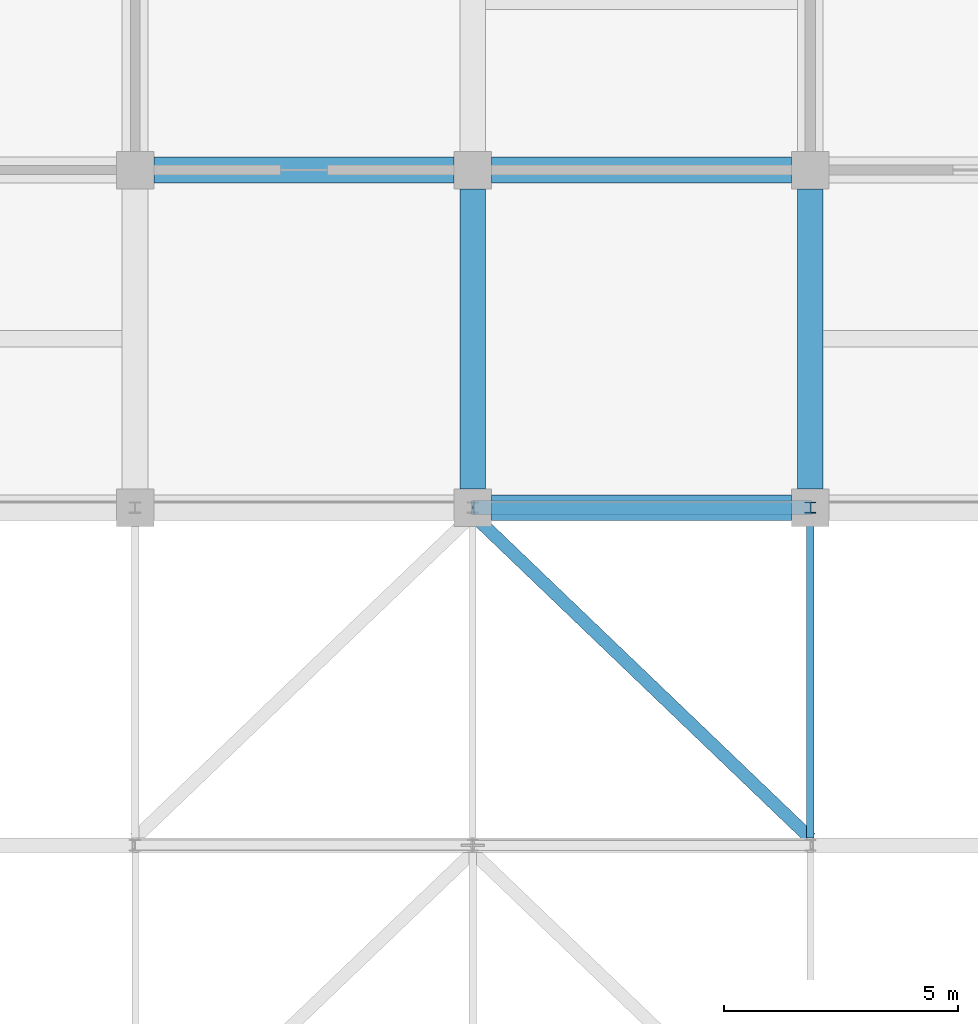
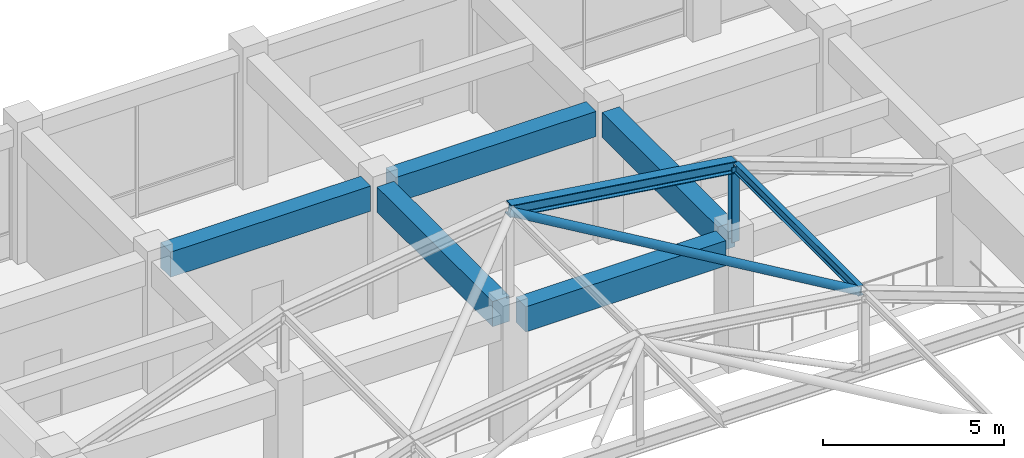
# One storey, part 25 of 75: 5 beams, 4 members.
"""IFC4 building model written with IfcOpenShell, lengths in metres."""

from ifc_helpers import new_model, si_unit, direction, frame, origin, origin_2d, place, context, subcontext, project, spatial, rectangle, hollow_circle, i_section, extrude, material, material_profile, profile_set, type_object, element, save


model = new_model("IFC4")

# Units and contexts
model_context = context("Model", 3, precision=1e-05, world=origin(), true_north=direction((0.0, 1.0)))
body_context = subcontext(model_context, "Body", "Model", "MODEL_VIEW")
ifc_project = project(units=[si_unit("LENGTHUNIT", "METRE"), si_unit("AREAUNIT", "SQUARE_METRE"), si_unit("VOLUMEUNIT", "CUBIC_METRE"), si_unit("PLANEANGLEUNIT", "RADIAN"), si_unit("MASSUNIT", "GRAM", prefix="KILO")], contexts=[model_context])

# Site, building, storey
site_placement = place(None, origin())
site = spatial("IfcSite", under=ifc_project, at=site_placement, CompositionType="ELEMENT")
building_placement = place(site_placement, origin())
building = spatial("IfcBuilding", under=site, at=building_placement, Name="Cendaluz Park School", CompositionType="ELEMENT")
storey_placement = place(building_placement, frame((0.0, 0.0, 4.800048828125)))
storey = spatial("IfcBuildingStorey", under=building, at=storey_placement, Name="L01", CompositionType="ELEMENT", Elevation=4.800048828125)

# Beams
ifc_material_1 = material(Name="Concrete C40/50", Category="concrete")
ifc_material_profile_1 = material_profile(ifc_material_1, rectangle(XDim=0.550048828125, YDim=0.85009765625, at=origin_2d()), Name="RC 550x850", Category="concrete")
ifc_profile_set_1 = profile_set([ifc_material_profile_1], Name="Concrete C40/50")
beam_type = type_object("IfcBeamType", Name="BM-RC01", PredefinedType="BEAM", material=ifc_profile_set_1)
for number, where, z_axis, x_axis, name in (
    (1, (14.800048828125, 108.0, 4.0048828125), (1.0, 0.0, 0.0), (0.0, 1.0, 0.0), "BM-L01-BMRC01-0031"),
    (2, (22.0, 100.800048828125, 4.0048828125), (1.0, 0.0, 0.0), (0.0, 1.0, 0.0), "BM-L01-BMRC01-0039"),
    (3, (22.0, 108.0, 4.0048828125), (1.0, 0.0, 0.0), (0.0, 1.0, 0.0), "BM-L01-BMRC01-0040"),
):
    element("IfcBeam", number, at=place(storey_placement, frame(where, z_axis=z_axis, x_axis=x_axis)), inside=storey, type_object=beam_type, Name=name, PredefinedType="BEAM", context=body_context, shape_type="SweptSolid", body=[
        extrude(rectangle(XDim=0.550048828125, YDim=0.85009765625, at=origin_2d()), origin(), (0.0, 0.0, 1.0), 6.39990234375),
    ])
for number, where, z_axis, x_axis, name in (
    (4, (21.60009765625, 101.199951171875, 4.0048828125), (0.0, 1.0, 0.0), (-1.0, 0.0, 0.0), "BM-L01-BMRC01-0259"),
    (5, (28.800048828125, 101.199951171875, 4.0048828125), (0.0, 1.0, 0.0), (-1.0, 0.0, 0.0), "BM-L01-BMRC01-0269"),
):
    element("IfcBeam", number, at=place(storey_placement, frame(where, z_axis=z_axis, x_axis=x_axis)), inside=storey, type_object=beam_type, Name=name, PredefinedType="BEAM", context=body_context, shape_type="SweptSolid", body=[
        extrude(rectangle(XDim=0.550048828125, YDim=0.85009765625, at=origin_2d()), origin(), (0.0, 0.0, 1.0), 6.400146484375),
    ])

# Members
ifc_material_2 = material(Name="Steel S355", Category="steel")
ifc_material_profile_2 = material_profile(ifc_material_2, i_section(OverallWidth=0.300048828125, OverallDepth=0.39990234375, WebThickness=0.013916015625, FlangeThickness=0.02392578125, FilletRadius=0.027099609375, at=origin_2d()), Name="HEB 400", Category="steel")
ifc_profile_set_2 = profile_set([ifc_material_profile_2], Name="Steel S355")
member_type_1 = type_object("IfcMemberType", Name="MB-CH01", PredefinedType="CHORD", material=ifc_profile_set_2)
member_1_placement = place(storey_placement, frame((21.60009765625, 100.800048828125, 7.7099609375), z_axis=(0.990113333567, 0.0, -0.140269692708), x_axis=(0.0, 1.0, 0.0)))
element("IfcMember", 6, at=member_1_placement, inside=storey, type_object=member_type_1, Name="MB-L01-MBCH01-0055", PredefinedType="CHORD", context=body_context, shape_type="SweptSolid", body=[
    extrude(i_section(OverallWidth=0.300048828125, OverallDepth=0.39990234375, WebThickness=0.013916015625, FlangeThickness=0.02392578125, FilletRadius=0.027099609375, at=origin_2d()), origin(), (0.0, 0.0, 1.0), 7.271728515625),
])
ifc_material_profile_3 = material_profile(ifc_material_2, i_section(OverallWidth=0.159912109375, OverallDepth=0.330078125, WebThickness=0.008056640625, FlangeThickness=0.011962890625, FilletRadius=0.01806640625, at=origin_2d()), Name="IPE 330", Category="steel")
ifc_profile_set_3 = profile_set([ifc_material_profile_3], Name="Steel S355")
member_type_2 = type_object("IfcMemberType", Name="MB-PR02", PredefinedType="PURLIN", material=ifc_profile_set_3)
member_2_placement = place(storey_placement, frame((28.800048828125, 93.75, 6.704833984375), z_axis=(0.0, 1.0, 0.0), x_axis=(-1.0, 0.0, 0.0)))
element("IfcMember", 7, at=member_2_placement, inside=storey, type_object=member_type_2, Name="MB-L01-MBPR02-0085", PredefinedType="PURLIN", context=body_context, shape_type="SweptSolid", body=[
    extrude(i_section(OverallWidth=0.159912109375, OverallDepth=0.330078125, WebThickness=0.008056640625, FlangeThickness=0.011962890625, FilletRadius=0.01806640625, at=origin_2d()), origin(), (0.0, 0.0, 1.0), 6.89990234375),
])
ifc_material_profile_4 = material_profile(ifc_material_2, hollow_circle(Radius=0.136474609375, WallThickness=0.011962890625, at=origin_2d()), Name="CHS 273x12", Category="steel")
ifc_profile_set_4 = profile_set([ifc_material_profile_4], Name="Steel S355")
member_type_3 = type_object("IfcMemberType", Name="MBR-01", PredefinedType="BRACE", material=ifc_profile_set_4)
member_3_placement = place(storey_placement, frame((28.800048828125, 93.75, 6.68994140625), z_axis=(-0.718243342444, 0.688311462621, 0.101753778601), x_axis=(-0.691902704581, -0.721990752983, 0.0)))
element("IfcMember", 8, at=member_3_placement, inside=storey, type_object=member_type_3, Name="MB-L01-MBBR01-0087", PredefinedType="BRACE", context=body_context, shape_type="SweptSolid", body=[
    extrude(hollow_circle(Radius=0.136474609375, WallThickness=0.011962890625, at=origin_2d()), origin(), (0.0, 0.0, 1.0), 10.0244140625),
])
ifc_material_profile_5 = material_profile(ifc_material_2, i_section(OverallWidth=0.239990234375, OverallDepth=0.22998046875, WebThickness=0.008056640625, FlangeThickness=0.011962890625, FilletRadius=0.02099609375, at=origin_2d()), Name="HEA 240", Category="steel")
ifc_profile_set_5 = profile_set([ifc_material_profile_5], Name="Steel S355")
member_type_4 = type_object("IfcMemberType", Name="MST-01", PredefinedType="STRUT", material=ifc_profile_set_5)
member_4_placement = place(storey_placement, frame((28.800048828125, 100.800048828125, 4.14990234375), z_axis=(0.0, 0.0, 1.0), x_axis=(1.0, 0.0, 0.0)))
element("IfcMember", 9, at=member_4_placement, inside=storey, type_object=member_type_4, Name="MB-L01-MBST01-0059", PredefinedType="STRUT", context=body_context, shape_type="SweptSolid", body=[
    extrude(i_section(OverallWidth=0.239990234375, OverallDepth=0.22998046875, WebThickness=0.008056640625, FlangeThickness=0.011962890625, FilletRadius=0.02099609375, at=origin_2d()), origin(), (0.0, 0.0, 1.0), 2.5400390625),
])

save(model, "model.ifc")
